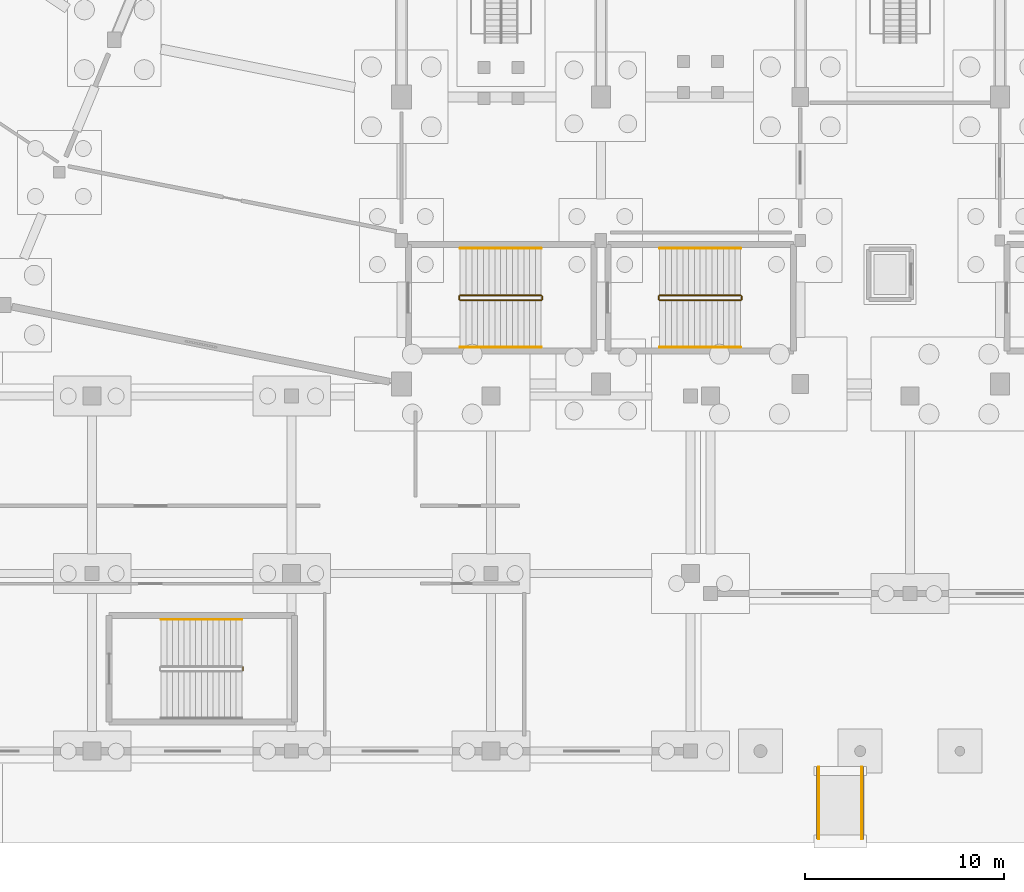
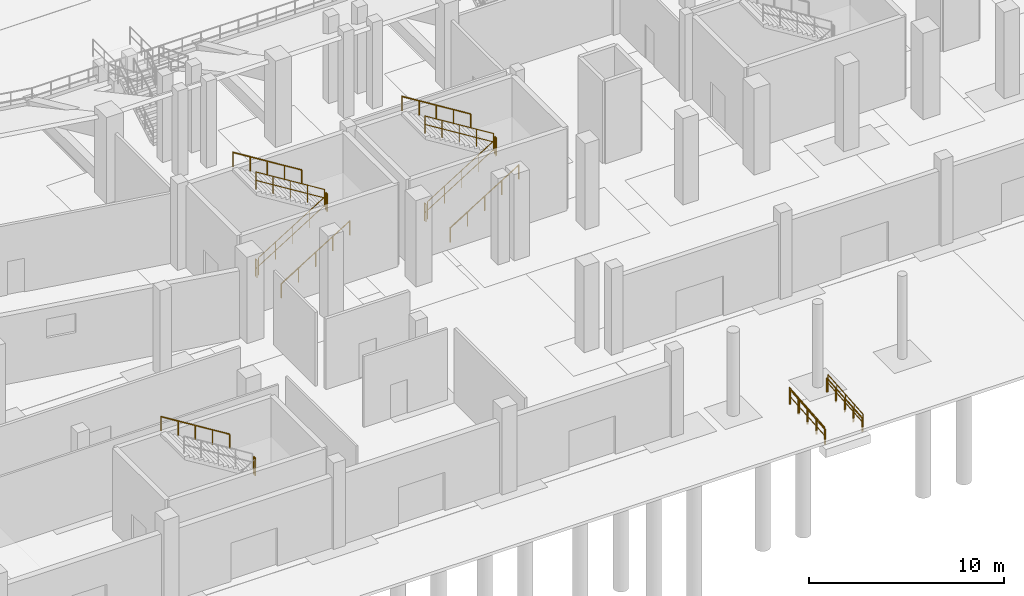
# One storey, part 49 of 68: 18 railings.
"""IFC4 building model written with IfcOpenShell, lengths in metres."""

from ifc_helpers import new_model, si_unit, direction, frame, origin, origin_2d, place, context, subcontext, project, spatial, circle, extrude, material, layer, layer_set, type_object, element, save


model = new_model("IFC4")

# Units and contexts
model_context = context("Model", 3, precision=1e-05, world=origin(), true_north=direction((0.0, 1.0)))
body_context = subcontext(model_context, "Body", "Model", "MODEL_VIEW")
ifc_project = project(units=[si_unit("LENGTHUNIT", "METRE"), si_unit("AREAUNIT", "SQUARE_METRE"), si_unit("VOLUMEUNIT", "CUBIC_METRE"), si_unit("PLANEANGLEUNIT", "RADIAN"), si_unit("MASSUNIT", "GRAM", prefix="KILO")], contexts=[model_context])

# Site, building, storey
site_placement = place(None, origin())
site = spatial("IfcSite", under=ifc_project, at=site_placement, CompositionType="ELEMENT")
building_placement = place(site_placement, origin())
building = spatial("IfcBuilding", under=site, at=building_placement, Name="Candeia Ridge Stadium", CompositionType="ELEMENT")
storey_placement = place(building_placement, origin())
storey = spatial("IfcBuildingStorey", under=building, at=storey_placement, Name="L00", CompositionType="ELEMENT", Elevation=0.0)

# Railings
ifc_material_1 = material(Name="Brushed Stainless Steel", Category="steel")
ifc_layer_1 = layer(ifc_material_1, 0.048095703125, Name="Brushed Stainless Steel", Category="steel")
ifc_layer_set_1 = layer_set([ifc_layer_1], Name="Brushed Stainless Steel")
railing_type_1 = type_object("IfcRailingType", Name="Stair Wall & Flight Handrail 900", PredefinedType="HANDRAIL", material=ifc_layer_set_1)
for number, where, name in (
    (1, (94.080078125, -3.800048828125, -0.300048828125), "Accessible ramp handrail RMP-S1-L"),
    (2, (91.919921875, -3.800048828125, -0.300048828125), "Accessible ramp handrail RMP-S1-R"),
):
    element("IfcRailing", number, at=place(storey_placement, frame(where)), inside=storey, type_object=railing_type_1, Name=name, PredefinedType="HANDRAIL", context=body_context, shape_type="SweptSolid", body=[
        extrude(circle(Radius=0.02392578125, at=origin_2d()), frame((0.0, 0.0, 0.8759765625), z_axis=(0.0, 0.996544826035, 0.083056665618), x_axis=(-1.0, 0.0, 0.0)), (0.0, 0.0, 1.0), 3.612548828125),
        extrude(circle(Radius=0.02099609375, at=origin_2d()), origin(), (0.0, 0.0, 1.0), 0.851806640625),
        extrude(circle(Radius=0.02099609375, at=origin_2d()), frame((0.0, 0.89990234375, 0.074951171875)), (0.0, 0.0, 1.0), 0.851806640625),
        extrude(circle(Radius=0.02099609375, at=origin_2d()), frame((0.0, 1.800048828125, 0.14990234375)), (0.0, 0.0, 1.0), 0.851806640625),
        extrude(circle(Radius=0.02099609375, at=origin_2d()), frame((0.0, 2.7001953125, 0.22509765625)), (0.0, 0.0, 1.0), 0.851806640625),
        extrude(circle(Radius=0.02099609375, at=origin_2d()), frame((0.0, 3.60009765625, 0.300048828125)), (0.0, 0.0, 1.0), 0.851806640625),
    ])
railing_1_placement = place(storey_placement, frame((73.949951171875, 20.85009765625, 0.179931640625)))
element("IfcRailing", 3, at=railing_1_placement, inside=storey, type_object=railing_type_1, Name="L00 ST02 stair handrail 1", PredefinedType="HANDRAIL", context=body_context, shape_type="SweptSolid", body=[
    extrude(circle(Radius=0.02392578125, at=origin_2d()), frame((0.0, 0.0, 0.8759765625), z_axis=(0.849641744969, 0.0, 0.527360318194), x_axis=(0.0, 1.0, 0.0)), (0.0, 0.0, 1.0), 4.778564453125),
    extrude(circle(Radius=0.02099609375, at=origin_2d()), origin(), (0.0, 0.0, 1.0), 0.851806640625),
    extrude(circle(Radius=0.02099609375, at=origin_2d()), frame((1.01513671875, 0.0, 0.6298828125)), (0.0, 0.0, 1.0), 0.851806640625),
    extrude(circle(Radius=0.02099609375, at=origin_2d()), frame((2.030029296875, 0.0, 1.260009765625)), (0.0, 0.0, 1.0), 0.851806640625),
    extrude(circle(Radius=0.02099609375, at=origin_2d()), frame((3.044921875, 0.0, 1.89013671875)), (0.0, 0.0, 1.0), 0.851806640625),
    extrude(circle(Radius=0.02099609375, at=origin_2d()), frame((4.06005859375, 0.0, 2.52001953125)), (0.0, 0.0, 1.0), 0.851806640625),
])
railing_2_placement = place(storey_placement, frame((78.010009765625, 25.800048828125, 2.8798828125)))
element("IfcRailing", 4, at=railing_2_placement, inside=storey, type_object=railing_type_1, Name="L00 ST02 stair handrail 2", PredefinedType="HANDRAIL", context=body_context, shape_type="SweptSolid", body=[
    extrude(circle(Radius=0.02392578125, at=origin_2d()), frame((0.0, 0.0, 0.8759765625), z_axis=(-0.849641744969, 0.0, 0.527360318194), x_axis=(0.0, -1.0, 0.0)), (0.0, 0.0, 1.0), 4.778564453125),
    extrude(circle(Radius=0.02099609375, at=origin_2d()), origin(), (0.0, 0.0, 1.0), 0.851806640625),
    extrude(circle(Radius=0.02099609375, at=origin_2d()), frame((-1.01513671875, 0.0, 0.6298828125)), (0.0, 0.0, 1.0), 0.851806640625),
    extrude(circle(Radius=0.02099609375, at=origin_2d()), frame((-2.030029296875, 0.0, 1.260009765625)), (0.0, 0.0, 1.0), 0.851806640625),
    extrude(circle(Radius=0.02099609375, at=origin_2d()), frame((-3.044921875, 0.0, 1.89013671875)), (0.0, 0.0, 1.0), 0.851806640625),
    extrude(circle(Radius=0.02099609375, at=origin_2d()), frame((-4.06005859375, 0.0, 2.52001953125)), (0.0, 0.0, 1.0), 0.851806640625),
])
railing_3_placement = place(storey_placement, frame((83.949951171875, 20.85009765625, 0.179931640625)))
element("IfcRailing", 5, at=railing_3_placement, inside=storey, type_object=railing_type_1, Name="L00 ST11 stair handrail 1", PredefinedType="HANDRAIL", context=body_context, shape_type="SweptSolid", body=[
    extrude(circle(Radius=0.02392578125, at=origin_2d()), frame((0.0, 0.0, 0.8759765625), z_axis=(0.849641744969, 0.0, 0.527360318194), x_axis=(0.0, 1.0, 0.0)), (0.0, 0.0, 1.0), 4.778564453125),
    extrude(circle(Radius=0.02099609375, at=origin_2d()), origin(), (0.0, 0.0, 1.0), 0.851806640625),
    extrude(circle(Radius=0.02099609375, at=origin_2d()), frame((1.01513671875, 0.0, 0.6298828125)), (0.0, 0.0, 1.0), 0.851806640625),
    extrude(circle(Radius=0.02099609375, at=origin_2d()), frame((2.030029296875, 0.0, 1.260009765625)), (0.0, 0.0, 1.0), 0.851806640625),
    extrude(circle(Radius=0.02099609375, at=origin_2d()), frame((3.044921875, 0.0, 1.89013671875)), (0.0, 0.0, 1.0), 0.851806640625),
    extrude(circle(Radius=0.02099609375, at=origin_2d()), frame((4.06005859375, 0.0, 2.52001953125)), (0.0, 0.0, 1.0), 0.851806640625),
])
for number, where, name in (
    (6, (88.010009765625, 25.800048828125, 2.8798828125), "L00 ST11 stair handrail 2"),
    (7, (63.010009765625, 7.199951171875, 2.8798828125), "L00 ST13 stair handrail 2"),
):
    element("IfcRailing", number, at=place(storey_placement, frame(where)), inside=storey, type_object=railing_type_1, Name=name, PredefinedType="HANDRAIL", context=body_context, shape_type="SweptSolid", body=[
        extrude(circle(Radius=0.02392578125, at=origin_2d()), frame((0.0, 0.0, 0.8759765625), z_axis=(-0.849641744969, 0.0, 0.527360318194), x_axis=(0.0, -1.0, 0.0)), (0.0, 0.0, 1.0), 4.778564453125),
        extrude(circle(Radius=0.02099609375, at=origin_2d()), origin(), (0.0, 0.0, 1.0), 0.851806640625),
        extrude(circle(Radius=0.02099609375, at=origin_2d()), frame((-1.01513671875, 0.0, 0.6298828125)), (0.0, 0.0, 1.0), 0.851806640625),
        extrude(circle(Radius=0.02099609375, at=origin_2d()), frame((-2.030029296875, 0.0, 1.260009765625)), (0.0, 0.0, 1.0), 0.851806640625),
        extrude(circle(Radius=0.02099609375, at=origin_2d()), frame((-3.044921875, 0.0, 1.89013671875)), (0.0, 0.0, 1.0), 0.851806640625),
        extrude(circle(Radius=0.02099609375, at=origin_2d()), frame((-4.06005859375, 0.0, 2.52001953125)), (0.0, 0.0, 1.0), 0.851806640625),
    ])
ifc_material_2 = material(Name="Galvanized Powder-Coated Steel", Category="steel")
ifc_layer_2 = layer(ifc_material_2, 0.06005859375, Name="Galvanized Powder-Coated Steel", Category="steel")
ifc_layer_set_2 = layer_set([ifc_layer_2], Name="Galvanized Powder-Coated Steel")
railing_type_2 = type_object("IfcRailingType", Name="Stair Well Guardrail 1100", PredefinedType="GUARDRAIL", material=ifc_layer_set_2)
railing_4_placement = place(storey_placement, frame((73.949951171875, 23.199951171875, 0.179931640625)))
element("IfcRailing", 8, at=railing_4_placement, inside=storey, type_object=railing_type_2, Name="L00 ST02 stair guard 1", PredefinedType="GUARDRAIL", context=body_context, shape_type="SweptSolid", body=[
    extrude(circle(Radius=0.02392578125, at=origin_2d()), frame((0.0, 0.0, 1.076171875), z_axis=(0.849641744969, 0.0, 0.527360318194), x_axis=(0.0, 1.0, 0.0)), (0.0, 0.0, 1.0), 4.778564453125),
    extrude(circle(Radius=0.02392578125, at=origin_2d()), frame((0.0, 0.0, 0.550048828125), z_axis=(0.849641744969, 0.0, 0.527360318194), x_axis=(0.0, 1.0, 0.0)), (0.0, 0.0, 1.0), 4.778564453125),
    extrude(circle(Radius=0.02099609375, at=origin_2d()), origin(), (0.0, 0.0, 1.0), 1.052001953125),
    extrude(circle(Radius=0.02099609375, at=origin_2d()), frame((1.01513671875, 0.0, 0.6298828125)), (0.0, 0.0, 1.0), 1.052001953125),
    extrude(circle(Radius=0.02099609375, at=origin_2d()), frame((2.030029296875, 0.0, 1.260009765625)), (0.0, 0.0, 1.0), 1.052001953125),
    extrude(circle(Radius=0.02099609375, at=origin_2d()), frame((3.044921875, 0.0, 1.89013671875)), (0.0, 0.0, 1.0), 1.052001953125),
    extrude(circle(Radius=0.02099609375, at=origin_2d()), frame((4.06005859375, 0.0, 2.52001953125)), (0.0, 0.0, 1.0), 1.052001953125),
])
railing_5_placement = place(storey_placement, frame((78.06005859375, 23.25, 2.699951171875)))
element("IfcRailing", 9, at=railing_5_placement, inside=storey, type_object=railing_type_2, Name="L00 ST02 stair guard 2", PredefinedType="GUARDRAIL", context=body_context, shape_type="SweptSolid", body=[
    extrude(circle(Radius=0.02392578125, at=origin_2d()), frame((0.0, 0.0, 1.076171875), z_axis=(0.0, 1.0, 0.0), x_axis=(-1.0, 0.0, 0.0)), (0.0, 0.0, 1.0), 0.14990234375),
    extrude(circle(Radius=0.02392578125, at=origin_2d()), frame((0.0, 0.0, 0.550048828125), z_axis=(0.0, 1.0, 0.0), x_axis=(-1.0, 0.0, 0.0)), (0.0, 0.0, 1.0), 0.14990234375),
    extrude(circle(Radius=0.02099609375, at=origin_2d()), origin(), (0.0, 0.0, 1.0), 1.052001953125),
    extrude(circle(Radius=0.02099609375, at=origin_2d()), frame((0.0, 0.14990234375, 0.0)), (0.0, 0.0, 1.0), 1.052001953125),
])
railing_6_placement = place(storey_placement, frame((78.010009765625, 23.449951171875, 2.8798828125)))
element("IfcRailing", 10, at=railing_6_placement, inside=storey, type_object=railing_type_2, Name="L00 ST02 stair guard 3", PredefinedType="GUARDRAIL", context=body_context, shape_type="SweptSolid", body=[
    extrude(circle(Radius=0.02392578125, at=origin_2d()), frame((0.0, 0.0, 1.076171875), z_axis=(-0.849641744969, 0.0, 0.527360318194), x_axis=(0.0, -1.0, 0.0)), (0.0, 0.0, 1.0), 4.778564453125),
    extrude(circle(Radius=0.02392578125, at=origin_2d()), frame((0.0, 0.0, 0.550048828125), z_axis=(-0.849641744969, 0.0, 0.527360318194), x_axis=(0.0, -1.0, 0.0)), (0.0, 0.0, 1.0), 4.778564453125),
    extrude(circle(Radius=0.02099609375, at=origin_2d()), origin(), (0.0, 0.0, 1.0), 1.052001953125),
    extrude(circle(Radius=0.02099609375, at=origin_2d()), frame((-1.01513671875, 0.0, 0.6298828125)), (0.0, 0.0, 1.0), 1.052001953125),
    extrude(circle(Radius=0.02099609375, at=origin_2d()), frame((-2.030029296875, 0.0, 1.260009765625)), (0.0, 0.0, 1.0), 1.052001953125),
    extrude(circle(Radius=0.02099609375, at=origin_2d()), frame((-3.044921875, 0.0, 1.89013671875)), (0.0, 0.0, 1.0), 1.052001953125),
    extrude(circle(Radius=0.02099609375, at=origin_2d()), frame((-4.06005859375, 0.0, 2.52001953125)), (0.0, 0.0, 1.0), 1.052001953125),
])
railing_7_placement = place(storey_placement, frame((73.89990234375, 23.25, 0.0)))
element("IfcRailing", 11, at=railing_7_placement, inside=storey, type_object=railing_type_2, Name="L00 ST02 stair guard 4", PredefinedType="GUARDRAIL", context=body_context, shape_type="SweptSolid", body=[
    extrude(circle(Radius=0.02392578125, at=origin_2d()), frame((0.0, 0.0, 1.076171875), z_axis=(0.0, 1.0, 0.0), x_axis=(-1.0, 0.0, 0.0)), (0.0, 0.0, 1.0), 0.14990234375),
    extrude(circle(Radius=0.02392578125, at=origin_2d()), frame((0.0, 0.0, 0.550048828125), z_axis=(0.0, 1.0, 0.0), x_axis=(-1.0, 0.0, 0.0)), (0.0, 0.0, 1.0), 0.14990234375),
    extrude(circle(Radius=0.02099609375, at=origin_2d()), origin(), (0.0, 0.0, 1.0), 1.052001953125),
    extrude(circle(Radius=0.02099609375, at=origin_2d()), frame((0.0, 0.14990234375, 0.0)), (0.0, 0.0, 1.0), 1.052001953125),
])
railing_8_placement = place(storey_placement, frame((83.949951171875, 23.199951171875, 0.179931640625)))
element("IfcRailing", 12, at=railing_8_placement, inside=storey, type_object=railing_type_2, Name="L00 ST11 stair guard 1", PredefinedType="GUARDRAIL", context=body_context, shape_type="SweptSolid", body=[
    extrude(circle(Radius=0.02392578125, at=origin_2d()), frame((0.0, 0.0, 1.076171875), z_axis=(0.849641744969, 0.0, 0.527360318194), x_axis=(0.0, 1.0, 0.0)), (0.0, 0.0, 1.0), 4.778564453125),
    extrude(circle(Radius=0.02392578125, at=origin_2d()), frame((0.0, 0.0, 0.550048828125), z_axis=(0.849641744969, 0.0, 0.527360318194), x_axis=(0.0, 1.0, 0.0)), (0.0, 0.0, 1.0), 4.778564453125),
    extrude(circle(Radius=0.02099609375, at=origin_2d()), origin(), (0.0, 0.0, 1.0), 1.052001953125),
    extrude(circle(Radius=0.02099609375, at=origin_2d()), frame((1.01513671875, 0.0, 0.6298828125)), (0.0, 0.0, 1.0), 1.052001953125),
    extrude(circle(Radius=0.02099609375, at=origin_2d()), frame((2.030029296875, 0.0, 1.260009765625)), (0.0, 0.0, 1.0), 1.052001953125),
    extrude(circle(Radius=0.02099609375, at=origin_2d()), frame((3.044921875, 0.0, 1.89013671875)), (0.0, 0.0, 1.0), 1.052001953125),
    extrude(circle(Radius=0.02099609375, at=origin_2d()), frame((4.06005859375, 0.0, 2.52001953125)), (0.0, 0.0, 1.0), 1.052001953125),
])
railing_9_placement = place(storey_placement, frame((88.06005859375, 23.25, 2.699951171875)))
element("IfcRailing", 13, at=railing_9_placement, inside=storey, type_object=railing_type_2, Name="L00 ST11 stair guard 2", PredefinedType="GUARDRAIL", context=body_context, shape_type="SweptSolid", body=[
    extrude(circle(Radius=0.02392578125, at=origin_2d()), frame((0.0, 0.0, 1.076171875), z_axis=(0.0, 1.0, 0.0), x_axis=(-1.0, 0.0, 0.0)), (0.0, 0.0, 1.0), 0.14990234375),
    extrude(circle(Radius=0.02392578125, at=origin_2d()), frame((0.0, 0.0, 0.550048828125), z_axis=(0.0, 1.0, 0.0), x_axis=(-1.0, 0.0, 0.0)), (0.0, 0.0, 1.0), 0.14990234375),
    extrude(circle(Radius=0.02099609375, at=origin_2d()), origin(), (0.0, 0.0, 1.0), 1.052001953125),
    extrude(circle(Radius=0.02099609375, at=origin_2d()), frame((0.0, 0.14990234375, 0.0)), (0.0, 0.0, 1.0), 1.052001953125),
])
railing_10_placement = place(storey_placement, frame((88.010009765625, 23.449951171875, 2.8798828125)))
element("IfcRailing", 14, at=railing_10_placement, inside=storey, type_object=railing_type_2, Name="L00 ST11 stair guard 3", PredefinedType="GUARDRAIL", context=body_context, shape_type="SweptSolid", body=[
    extrude(circle(Radius=0.02392578125, at=origin_2d()), frame((0.0, 0.0, 1.076171875), z_axis=(-0.849641744969, 0.0, 0.527360318194), x_axis=(0.0, -1.0, 0.0)), (0.0, 0.0, 1.0), 4.778564453125),
    extrude(circle(Radius=0.02392578125, at=origin_2d()), frame((0.0, 0.0, 0.550048828125), z_axis=(-0.849641744969, 0.0, 0.527360318194), x_axis=(0.0, -1.0, 0.0)), (0.0, 0.0, 1.0), 4.778564453125),
    extrude(circle(Radius=0.02099609375, at=origin_2d()), origin(), (0.0, 0.0, 1.0), 1.052001953125),
    extrude(circle(Radius=0.02099609375, at=origin_2d()), frame((-1.01513671875, 0.0, 0.6298828125)), (0.0, 0.0, 1.0), 1.052001953125),
    extrude(circle(Radius=0.02099609375, at=origin_2d()), frame((-2.030029296875, 0.0, 1.260009765625)), (0.0, 0.0, 1.0), 1.052001953125),
    extrude(circle(Radius=0.02099609375, at=origin_2d()), frame((-3.044921875, 0.0, 1.89013671875)), (0.0, 0.0, 1.0), 1.052001953125),
    extrude(circle(Radius=0.02099609375, at=origin_2d()), frame((-4.06005859375, 0.0, 2.52001953125)), (0.0, 0.0, 1.0), 1.052001953125),
])
railing_11_placement = place(storey_placement, frame((83.89990234375, 23.25, 0.0)))
element("IfcRailing", 15, at=railing_11_placement, inside=storey, type_object=railing_type_2, Name="L00 ST11 stair guard 4", PredefinedType="GUARDRAIL", context=body_context, shape_type="SweptSolid", body=[
    extrude(circle(Radius=0.02392578125, at=origin_2d()), frame((0.0, 0.0, 1.076171875), z_axis=(0.0, 1.0, 0.0), x_axis=(-1.0, 0.0, 0.0)), (0.0, 0.0, 1.0), 0.14990234375),
    extrude(circle(Radius=0.02392578125, at=origin_2d()), frame((0.0, 0.0, 0.550048828125), z_axis=(0.0, 1.0, 0.0), x_axis=(-1.0, 0.0, 0.0)), (0.0, 0.0, 1.0), 0.14990234375),
    extrude(circle(Radius=0.02099609375, at=origin_2d()), origin(), (0.0, 0.0, 1.0), 1.052001953125),
    extrude(circle(Radius=0.02099609375, at=origin_2d()), frame((0.0, 0.14990234375, 0.0)), (0.0, 0.0, 1.0), 1.052001953125),
])
railing_12_placement = place(storey_placement, frame((63.06005859375, 4.64990234375, 2.699951171875)))
element("IfcRailing", 16, at=railing_12_placement, inside=storey, type_object=railing_type_2, Name="L00 ST13 stair guard 2", PredefinedType="GUARDRAIL", context=body_context, shape_type="SweptSolid", body=[
    extrude(circle(Radius=0.02392578125, at=origin_2d()), frame((0.0, 0.0, 1.076171875), z_axis=(0.0, 1.0, 0.0), x_axis=(-1.0, 0.0, 0.0)), (0.0, 0.0, 1.0), 0.150146484375),
    extrude(circle(Radius=0.02392578125, at=origin_2d()), frame((0.0, 0.0, 0.550048828125), z_axis=(0.0, 1.0, 0.0), x_axis=(-1.0, 0.0, 0.0)), (0.0, 0.0, 1.0), 0.150146484375),
    extrude(circle(Radius=0.02099609375, at=origin_2d()), origin(), (0.0, 0.0, 1.0), 1.052001953125),
    extrude(circle(Radius=0.02099609375, at=origin_2d()), frame((0.0, 0.150146484375, 0.0)), (0.0, 0.0, 1.0), 1.052001953125),
])
ifc_layer_3 = layer(ifc_material_2, 0.070068359375, Name="Galvanized Powder-Coated Steel", Category="steel")
ifc_layer_set_3 = layer_set([ifc_layer_3], Name="Galvanized Powder-Coated Steel")
railing_type_3 = type_object("IfcRailingType", Name="Vomitory Portal Guardrail 1100", PredefinedType="GUARDRAIL", material=ifc_layer_set_3)
for number, where, name in (
    (17, (94.139892578125, -3.800048828125, -0.300048828125), "Accessible ramp guardrail RMP-S1-L"),
    (18, (91.860107421875, -3.800048828125, -0.300048828125), "Accessible ramp guardrail RMP-S1-R"),
):
    element("IfcRailing", number, at=place(storey_placement, frame(where)), inside=storey, type_object=railing_type_3, Name=name, PredefinedType="GUARDRAIL", context=body_context, shape_type="SweptSolid", body=[
        extrude(circle(Radius=0.02392578125, at=origin_2d()), frame((0.0, 0.0, 1.076171875), z_axis=(0.0, 0.996544826035, 0.083056665618), x_axis=(-1.0, 0.0, 0.0)), (0.0, 0.0, 1.0), 3.612548828125),
        extrude(circle(Radius=0.02392578125, at=origin_2d()), frame((0.0, 0.0, 0.550048828125), z_axis=(0.0, 0.996544826035, 0.083056665618), x_axis=(-1.0, 0.0, 0.0)), (0.0, 0.0, 1.0), 3.612548828125),
        extrude(circle(Radius=0.02099609375, at=origin_2d()), origin(), (0.0, 0.0, 1.0), 1.052001953125),
        extrude(circle(Radius=0.02099609375, at=origin_2d()), frame((0.0, 0.89990234375, 0.074951171875)), (0.0, 0.0, 1.0), 1.052001953125),
        extrude(circle(Radius=0.02099609375, at=origin_2d()), frame((0.0, 1.800048828125, 0.14990234375)), (0.0, 0.0, 1.0), 1.052001953125),
        extrude(circle(Radius=0.02099609375, at=origin_2d()), frame((0.0, 2.7001953125, 0.22509765625)), (0.0, 0.0, 1.0), 1.052001953125),
        extrude(circle(Radius=0.02099609375, at=origin_2d()), frame((0.0, 3.60009765625, 0.300048828125)), (0.0, 0.0, 1.0), 1.052001953125),
    ])

save(model, "model.ifc")
